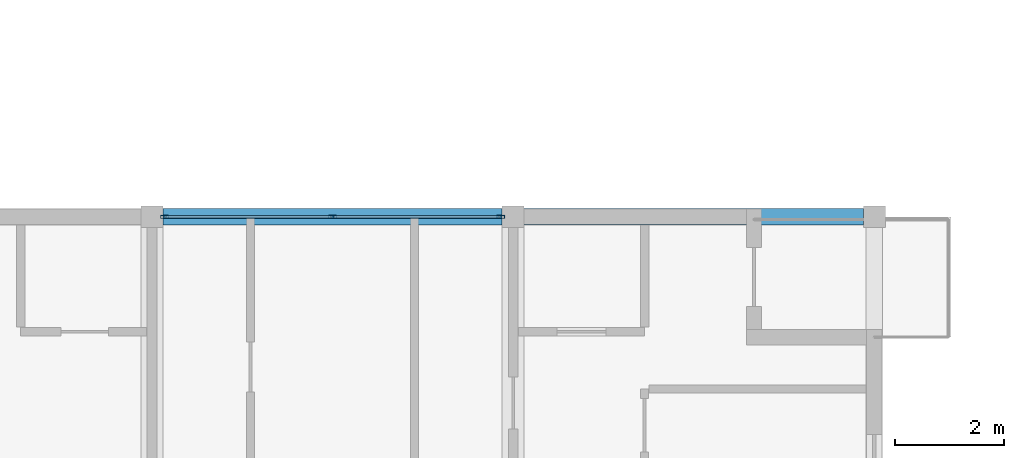
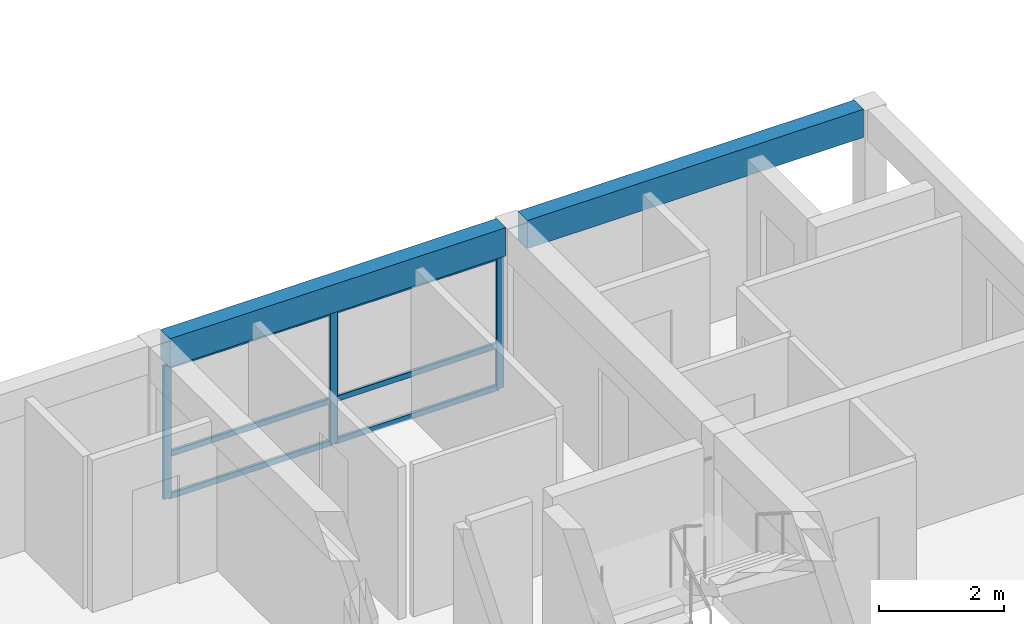
# One storey, part 13 of 49: 9 members, 2 beams, 1 element without a shape of its own.
"""IFC4 building model written with IfcOpenShell, lengths in metres."""

from ifc_helpers import new_model, si_unit, direction, frame, origin, origin_2d, place, context, subcontext, project, spatial, rectangle, hollow_rectangle, extrude, material, material_profile, profile_set, type_object, element, aggregate, save


model = new_model("IFC4")

# Units and contexts
model_context = context("Model", 3, precision=1e-05, world=origin(), true_north=direction((0.0, 1.0)))
body_context = subcontext(model_context, "Body", "Model", "MODEL_VIEW")
ifc_project = project(units=[si_unit("LENGTHUNIT", "METRE"), si_unit("AREAUNIT", "SQUARE_METRE"), si_unit("VOLUMEUNIT", "CUBIC_METRE"), si_unit("PLANEANGLEUNIT", "RADIAN"), si_unit("MASSUNIT", "GRAM", prefix="KILO")], contexts=[model_context])

# Site, building, storey
site_placement = place(None, origin())
site = spatial("IfcSite", under=ifc_project, at=site_placement, CompositionType="ELEMENT")
building_placement = place(site_placement, origin())
building = spatial("IfcBuilding", under=site, at=building_placement, Name="Kernevlak Ridge Housing Community", CompositionType="ELEMENT")
storey_placement = place(building_placement, frame((0.0, 0.0, 30.800048828125)))
storey = spatial("IfcBuildingStorey", under=building, at=storey_placement, Name="L09", CompositionType="ELEMENT", Elevation=30.800048828125)

# Curtain wall, members
ifc_material_1 = material(Name="Aluminium EN AW-6060 anodised and laminated glass", Category="aluminium")
curtain_wall_type = type_object("IfcCurtainWallType", Name="CW-01", PredefinedType="NOTDEFINED", material=ifc_material_1)
curtain_wall_placement = place(storey_placement, origin())
curtain_wall = element("IfcCurtainWall", 1, at=curtain_wall_placement, inside=storey, type_object=curtain_wall_type, Name="Curtain wall CW-01 CW-L09-129", PredefinedType="NOTDEFINED")
ifc_material_2 = material(Name="Aluminium EN AW-6060 anodised", Category="aluminium")
ifc_material_profile_1 = material_profile(ifc_material_2, hollow_rectangle(XDim=0.054931640625, YDim=0.139892578125, WallThickness=0.00390625, InnerFilletRadius=0.001953125, OuterFilletRadius=0.00390625, at=origin_2d()), Name="ALU 55x140x4")
ifc_profile_set_1 = profile_set([ifc_material_profile_1], Name="Aluminium EN AW-6060 anodised")
member_type_1 = type_object("IfcMemberType", Name="MU-01", PredefinedType="MULLION", material=ifc_profile_set_1)
member_1_placement = place(storey_placement, frame((132.827392578125, 42.0, 0.0), z_axis=(0.0, 0.0, 1.0), x_axis=(0.0, 1.0, 0.0)))
member_1 = element("IfcMember", 2, at=member_1_placement, type_object=member_type_1, Name="CW-01 mullion 1", PredefinedType="MULLION", context=body_context, shape_type="SweptSolid", body=[
    extrude(hollow_rectangle(XDim=0.054931640625, YDim=0.139892578125, WallThickness=0.00390625, InnerFilletRadius=0.001953125, OuterFilletRadius=0.00390625, at=origin_2d()), origin(), (0.0, 0.0, 1.0), 2.599853515625),
])
member_2_placement = place(storey_placement, frame((135.89990234375, 42.0, 0.0), z_axis=(0.0, 0.0, 1.0), x_axis=(0.0, 1.0, 0.0)))
member_2 = element("IfcMember", 3, at=member_2_placement, type_object=member_type_1, Name="CW-01 mullion 2", PredefinedType="MULLION", context=body_context, shape_type="SweptSolid", body=[
    extrude(hollow_rectangle(XDim=0.054931640625, YDim=0.139892578125, WallThickness=0.00390625, InnerFilletRadius=0.001953125, OuterFilletRadius=0.00390625, at=origin_2d()), origin(), (0.0, 0.0, 1.0), 2.599853515625),
])
member_3_placement = place(storey_placement, frame((138.972412109375, 42.0, 0.0), z_axis=(0.0, 0.0, 1.0), x_axis=(0.0, 1.0, 0.0)))
member_3 = element("IfcMember", 4, at=member_3_placement, type_object=member_type_1, Name="CW-01 mullion 3", PredefinedType="MULLION", context=body_context, shape_type="SweptSolid", body=[
    extrude(hollow_rectangle(XDim=0.054931640625, YDim=0.139892578125, WallThickness=0.00390625, InnerFilletRadius=0.001953125, OuterFilletRadius=0.00390625, at=origin_2d()), origin(), (0.0, 0.0, 1.0), 2.599853515625),
])

# Beams
ifc_material_3 = material(Name="Concrete C35/45", Category="concrete")
ifc_material_profile_2 = material_profile(ifc_material_3, rectangle(XDim=0.300048828125, YDim=0.550048828125, at=origin_2d()), Name="RC 300x550")
ifc_profile_set_2 = profile_set([ifc_material_profile_2], Name="Concrete C35/45")
beam_type = type_object("IfcBeamType", Name="SP-01", PredefinedType="SPANDREL", material=ifc_profile_set_2)
beam_1_placement = place(storey_placement, frame((132.800048828125, 42.0, 2.925048828125), z_axis=(1.0, 0.0, 0.0), x_axis=(0.0, 1.0, 0.0)))
element("IfcBeam", 5, at=beam_1_placement, inside=storey, type_object=beam_type, Name="Beam SP-01 L09 1220", PredefinedType="SPANDREL", context=body_context, shape_type="SweptSolid", body=[
    extrude(rectangle(XDim=0.300048828125, YDim=0.550048828125, at=origin_2d()), origin(), (0.0, 0.0, 1.0), 6.199951171875),
])
beam_2_placement = place(storey_placement, frame((139.39990234375, 42.0, 2.925048828125), z_axis=(1.0, 0.0, 0.0), x_axis=(0.0, 1.0, 0.0)))
element("IfcBeam", 6, at=beam_2_placement, inside=storey, type_object=beam_type, Name="Beam SP-01 L09 1221", PredefinedType="SPANDREL", context=body_context, shape_type="SweptSolid", body=[
    extrude(rectangle(XDim=0.300048828125, YDim=0.550048828125, at=origin_2d()), origin(), (0.0, 0.0, 1.0), 6.2001953125),
])

# Member
ifc_material_profile_3 = material_profile(ifc_material_2, hollow_rectangle(XDim=0.054931640625, YDim=0.110107421875, WallThickness=0.00390625, InnerFilletRadius=0.001953125, OuterFilletRadius=0.00390625, at=origin_2d()), Name="ALU 55x110x4")
ifc_profile_set_3 = profile_set([ifc_material_profile_3], Name="Aluminium EN AW-6060 anodised")
member_type_2 = type_object("IfcMemberType", Name="TM-01", PredefinedType="USERDEFINED", material=ifc_profile_set_3)
member_4_placement = place(storey_placement, frame((132.85498046875, 42.0, 0.02734375), z_axis=(1.0, 0.0, 0.0), x_axis=(0.0, 1.0, 0.0)))
member_4 = element("IfcMember", 7, at=member_4_placement, type_object=member_type_2, Name="CW-01 transom 1.1", ObjectType="TRANSOM", PredefinedType="USERDEFINED", context=body_context, shape_type="SweptSolid", body=[
    extrude(hollow_rectangle(XDim=0.054931640625, YDim=0.110107421875, WallThickness=0.00390625, InnerFilletRadius=0.001953125, OuterFilletRadius=0.00390625, at=origin_2d()), origin(), (0.0, 0.0, 1.0), 3.017578125),
])

member_5_placement = place(storey_placement, frame((132.85498046875, 42.0, 0.849853515625), z_axis=(1.0, 0.0, 0.0), x_axis=(0.0, 1.0, 0.0)))
member_5 = element("IfcMember", 8, at=member_5_placement, type_object=member_type_2, Name="CW-01 transom 1.2", ObjectType="TRANSOM", PredefinedType="USERDEFINED", context=body_context, shape_type="SweptSolid", body=[
    extrude(hollow_rectangle(XDim=0.054931640625, YDim=0.110107421875, WallThickness=0.00390625, InnerFilletRadius=0.001953125, OuterFilletRadius=0.00390625, at=origin_2d()), origin(), (0.0, 0.0, 1.0), 3.017578125),
])

member_6_placement = place(storey_placement, frame((132.85498046875, 42.0, 2.572509765625), z_axis=(1.0, 0.0, 0.0), x_axis=(0.0, 1.0, 0.0)))
member_6 = element("IfcMember", 9, at=member_6_placement, type_object=member_type_2, Name="CW-01 transom 1.3", ObjectType="TRANSOM", PredefinedType="USERDEFINED", context=body_context, shape_type="SweptSolid", body=[
    extrude(hollow_rectangle(XDim=0.054931640625, YDim=0.110107421875, WallThickness=0.00390625, InnerFilletRadius=0.001953125, OuterFilletRadius=0.00390625, at=origin_2d()), origin(), (0.0, 0.0, 1.0), 3.017578125),
])

member_7_placement = place(storey_placement, frame((135.927490234375, 42.0, 0.02734375), z_axis=(1.0, 0.0, 0.0), x_axis=(0.0, 1.0, 0.0)))
member_7 = element("IfcMember", 10, at=member_7_placement, type_object=member_type_2, Name="CW-01 transom 2.1", ObjectType="TRANSOM", PredefinedType="USERDEFINED", context=body_context, shape_type="SweptSolid", body=[
    extrude(hollow_rectangle(XDim=0.054931640625, YDim=0.110107421875, WallThickness=0.00390625, InnerFilletRadius=0.001953125, OuterFilletRadius=0.00390625, at=origin_2d()), origin(), (0.0, 0.0, 1.0), 3.017578125),
])

member_8_placement = place(storey_placement, frame((135.927490234375, 42.0, 0.849853515625), z_axis=(1.0, 0.0, 0.0), x_axis=(0.0, 1.0, 0.0)))
member_8 = element("IfcMember", 11, at=member_8_placement, type_object=member_type_2, Name="CW-01 transom 2.2", ObjectType="TRANSOM", PredefinedType="USERDEFINED", context=body_context, shape_type="SweptSolid", body=[
    extrude(hollow_rectangle(XDim=0.054931640625, YDim=0.110107421875, WallThickness=0.00390625, InnerFilletRadius=0.001953125, OuterFilletRadius=0.00390625, at=origin_2d()), origin(), (0.0, 0.0, 1.0), 3.017578125),
])

member_9_placement = place(storey_placement, frame((135.927490234375, 42.0, 2.572509765625), z_axis=(1.0, 0.0, 0.0), x_axis=(0.0, 1.0, 0.0)))
member_9 = element("IfcMember", 12, at=member_9_placement, type_object=member_type_2, Name="CW-01 transom 2.3", ObjectType="TRANSOM", PredefinedType="USERDEFINED", context=body_context, shape_type="SweptSolid", body=[
    extrude(hollow_rectangle(XDim=0.054931640625, YDim=0.110107421875, WallThickness=0.00390625, InnerFilletRadius=0.001953125, OuterFilletRadius=0.00390625, at=origin_2d()), origin(), (0.0, 0.0, 1.0), 3.017578125),
])

aggregate(curtain_wall, [member_1, member_2, member_3, member_4, member_5, member_6, member_7, member_8, member_9])

save(model, "model.ifc")
